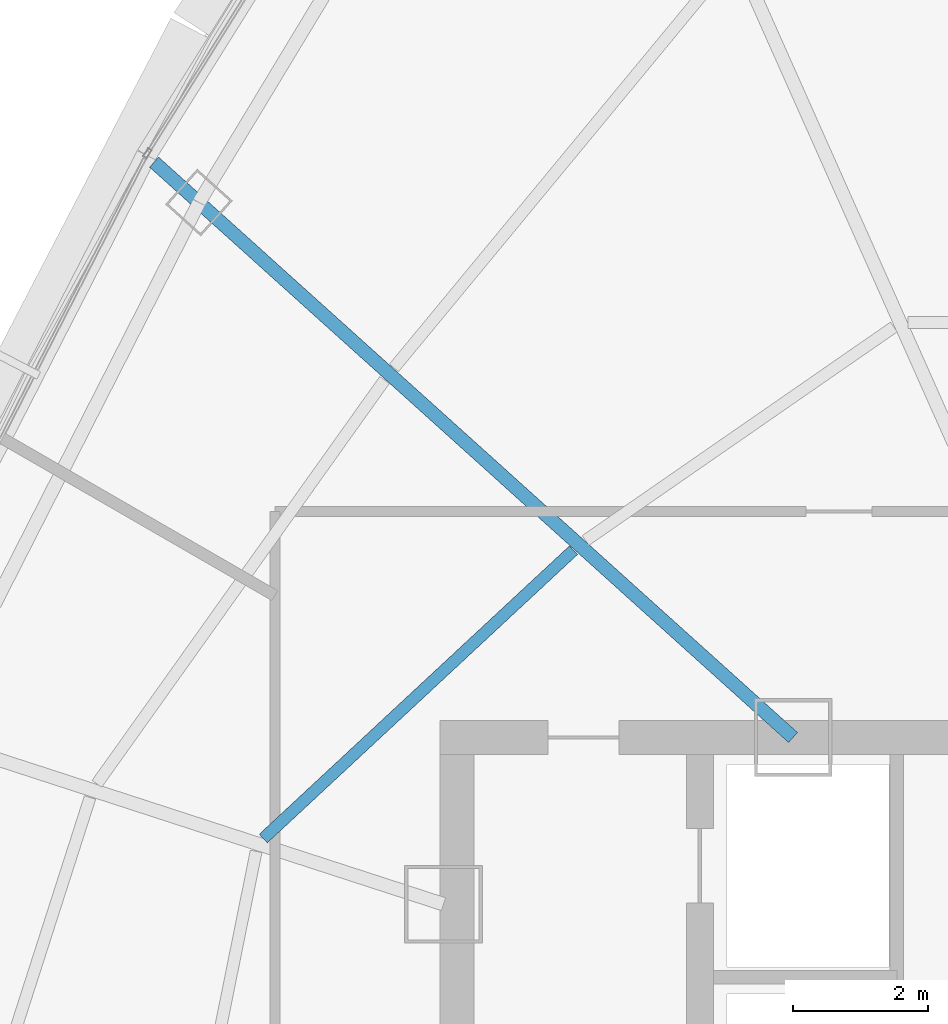
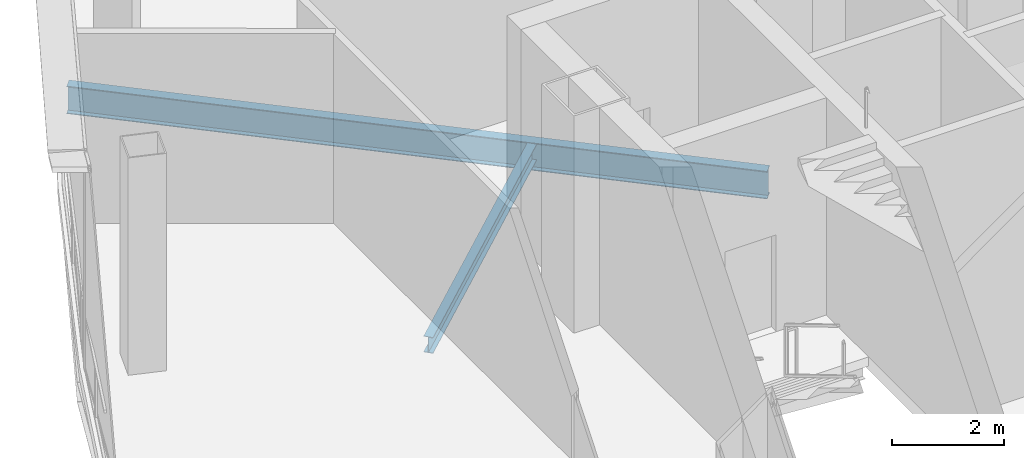
# One storey, part 7 of 29: 2 beams.
"""IFC4 building model written with IfcOpenShell, lengths in metres."""

from ifc_helpers import new_model, si_unit, direction, frame, origin, origin_2d, place, context, subcontext, project, spatial, i_section, extrude, source, transform, mapped, material, material_profile, profile_set, type_object, element, save


model = new_model("IFC4")

# Units and contexts
model_context = context("Model", 3, precision=1e-05, world=origin(), true_north=direction((0.0, 1.0)))
body_context = subcontext(model_context, "Body", "Model", "MODEL_VIEW")
ifc_project = project(units=[si_unit("LENGTHUNIT", "METRE"), si_unit("AREAUNIT", "SQUARE_METRE"), si_unit("VOLUMEUNIT", "CUBIC_METRE"), si_unit("PLANEANGLEUNIT", "RADIAN"), si_unit("MASSUNIT", "GRAM", prefix="KILO"), si_unit("THERMODYNAMICTEMPERATUREUNIT", "KELVIN"), si_unit("POWERUNIT", "WATT")], contexts=[model_context])

# Site, building, storey
site_placement = place(None, origin())
site = spatial("IfcSite", under=ifc_project, at=site_placement, CompositionType="ELEMENT")
building_placement = place(site_placement, origin())
building = spatial("IfcBuilding", under=site, at=building_placement, Name="Yunzhuo Pagoda Commons", CompositionType="ELEMENT")
storey_placement = place(building_placement, frame((0.0, 0.0, 366.760009765625)))
storey = spatial("IfcBuildingStorey", under=building, at=storey_placement, Name="L92", CompositionType="ELEMENT", Elevation=366.760009765625)

# Beams
ifc_material = material(Name="Structural steel Q355B", Category="steel")
ifc_material_profile_1 = material_profile(ifc_material, i_section(OverallWidth=0.175048828125, OverallDepth=0.35009765625, WebThickness=0.007080078125, FlangeThickness=0.010986328125, at=origin_2d()), Name="Structural steel Q355B")
ifc_profile_set_1 = profile_set([ifc_material_profile_1], Name="Structural steel Q355B")
beam_type_1 = type_object("IfcBeamType", Name="B-JS2 Joist HN 350x175x7x11", PredefinedType="JOIST", material=ifc_profile_set_1)
shared_shape_1 = source(origin(), body_context, "Body", "SweptSolid", [
    extrude(i_section(OverallWidth=0.175048828125, OverallDepth=0.35009765625, WebThickness=0.007080078125, FlangeThickness=0.010986328125, at=origin_2d()), origin(), (0.0, 0.0, 1.0), 6.277099609375),
])
beam_1_placement = place(storey_placement, frame((37.526611328125, 42.97607421875, -0.455078125), z_axis=(-0.73244154109, -0.68082992655, 0.0), x_axis=(0.68082992655, -0.73244154109, 0.0)))
element("IfcBeam", 1, at=beam_1_placement, inside=storey, type_object=beam_type_1, Name="L92 composite ring joist 1.10", PredefinedType="JOIST", context=body_context, shape_type="MappedRepresentation", body=[
    mapped(shared_shape_1, transform((0.0, 0.0, 0.0), scale=1.0)),
])
ifc_material_profile_2 = material_profile(ifc_material, i_section(OverallWidth=0.199951171875, OverallDepth=0.60009765625, WebThickness=0.010986328125, FlangeThickness=0.01708984375, at=origin_2d()), Name="Structural steel Q355B")
ifc_profile_set_2 = profile_set([ifc_material_profile_2], Name="Structural steel Q355B")
beam_type_2 = type_object("IfcBeamType", Name="B-RG3 Beam HN 600x200x11x17", PredefinedType="BEAM", material=ifc_profile_set_2)
shared_shape_2 = source(origin(), body_context, "Body", "SweptSolid", [
    extrude(i_section(OverallWidth=0.199951171875, OverallDepth=0.60009765625, WebThickness=0.010986328125, FlangeThickness=0.01708984375, at=origin_2d()), origin(), (0.0, 0.0, 1.0), 12.744140625),
])
beam_2_placement = place(storey_placement, frame((31.310302734375, 48.7275390625, -0.580078125), z_axis=(0.743139811769, -0.669136174605, 0.0), x_axis=(0.669136174605, 0.743139811769, 0.0)))
element("IfcBeam", 2, at=beam_2_placement, inside=storey, type_object=beam_type_2, Name="L92 radial floor girder F3C2", PredefinedType="BEAM", context=body_context, shape_type="MappedRepresentation", body=[
    mapped(shared_shape_2, transform((0.0, 0.0, 0.0), scale=1.0)),
])

save(model, "model.ifc")
